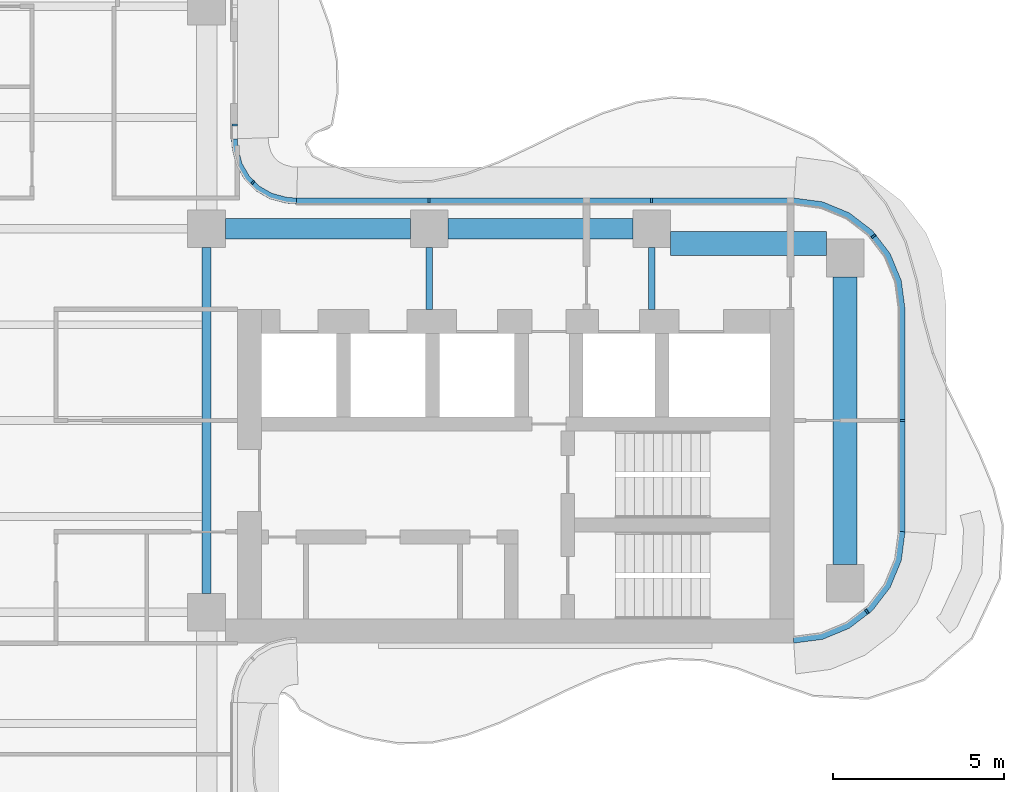
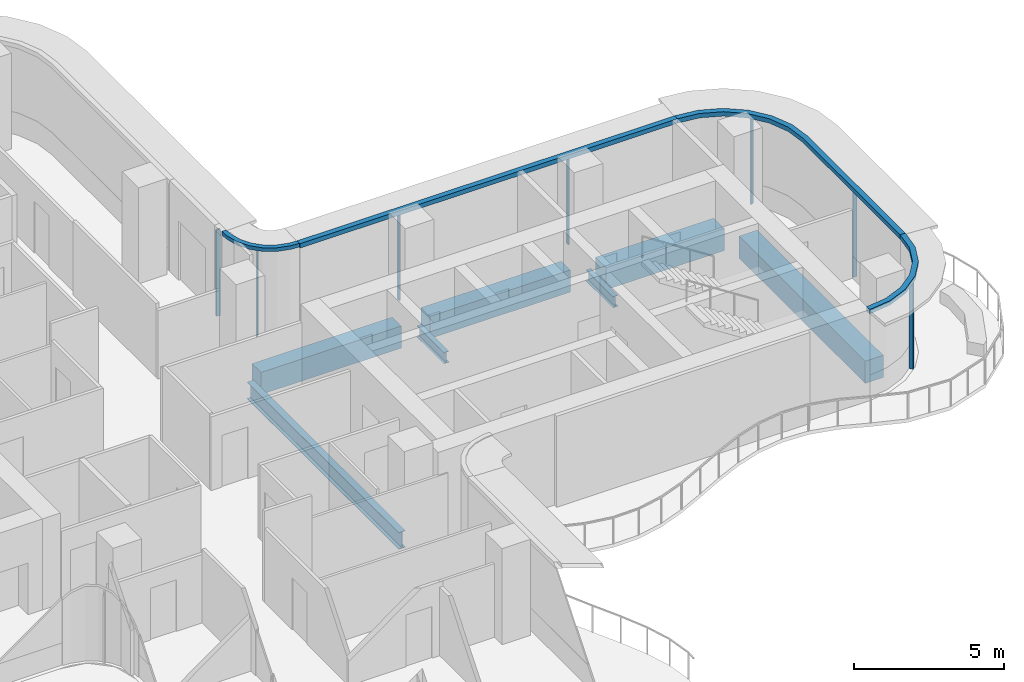
# One storey, part 6 of 17: 11 members, 7 beams, 5 elements without a shape of their own.
"""IFC4 building model written with IfcOpenShell, lengths in metres."""

from ifc_helpers import new_model, si_unit, direction, frame, origin, origin_2d, place, context, subcontext, project, spatial, polyline, rectangle, i_section, outline, extrude, source, transform, mapped, material, layer, layer_set, material_profile, profile_set, type_object, element, aggregate, save


model = new_model("IFC4")

# Units and contexts
model_context = context("Model", 3, precision=1e-05, world=origin(), true_north=direction((0.0, 1.0)))
body_context = subcontext(model_context, "Body", "Model", "MODEL_VIEW")
ifc_project = project(units=[si_unit("LENGTHUNIT", "METRE"), si_unit("AREAUNIT", "SQUARE_METRE"), si_unit("VOLUMEUNIT", "CUBIC_METRE"), si_unit("PLANEANGLEUNIT", "RADIAN"), si_unit("MASSUNIT", "GRAM", prefix="KILO")], contexts=[model_context])

# Site, building, storey
site_placement = place(None, origin())
site = spatial("IfcSite", under=ifc_project, at=site_placement, CompositionType="ELEMENT")
building_placement = place(site_placement, origin())
building = spatial("IfcBuilding", under=site, at=building_placement, Name="Trellis Farm Tower", CompositionType="ELEMENT")
storey_placement = place(building_placement, frame((0.0, 0.0, 259.699951171875)))
storey = spatial("IfcBuildingStorey", under=building, at=storey_placement, Name="L58", CompositionType="ELEMENT", Elevation=259.699951171875)

# Beams
ifc_material_1 = material(Name="Steel S355", Category="steel")
ifc_material_profile_1 = material_profile(ifc_material_1, i_section(OverallWidth=0.253662109375, OverallDepth=0.68359375, WebThickness=0.012451171875, FlangeThickness=0.021728515625, FilletRadius=0.01513671875, at=origin_2d()), Name="UB 686x254x140")
ifc_profile_set_1 = profile_set([ifc_material_profile_1], Name="Steel S355")
beam_type_1 = type_object("IfcBeamType", Name="UB 686x254x140", PredefinedType="BEAM", material=ifc_profile_set_1)
shared_shape_1 = source(origin(), body_context, "Body", "SweptSolid", [
    extrude(i_section(OverallWidth=0.253662109375, OverallDepth=0.68359375, WebThickness=0.012451171875, FlangeThickness=0.021728515625, FilletRadius=0.01513671875, at=origin_2d()), origin(), (0.0, 0.0, 1.0), 10.10009765625),
])
beam_1_placement = place(storey_placement, frame((5.60009765625, -5.050048828125, -0.541748046875), z_axis=(0.0, 1.0, 0.0), x_axis=(-1.0, 0.0, 0.0)))
element("IfcBeam", 1, at=beam_1_placement, inside=storey, type_object=beam_type_1, Name="Girder", PredefinedType="BEAM", context=body_context, shape_type="MappedRepresentation", body=[
    mapped(shared_shape_1, transform((0.0, 0.0, 0.0))),
])
ifc_material_profile_2 = material_profile(ifc_material_1, i_section(OverallWidth=0.1904296875, OverallDepth=0.45703125, WebThickness=0.009033203125, FlangeThickness=0.014404296875, FilletRadius=0.01025390625, at=origin_2d()), Name="UB 457x191x74")
ifc_profile_set_2 = profile_set([ifc_material_profile_2], Name="Steel S355")
beam_type_2 = type_object("IfcBeamType", Name="UB 457x191x74", PredefinedType="BEAM", material=ifc_profile_set_2)
shared_shape_2 = source(origin(), body_context, "Body", "SweptSolid", [
    extrude(i_section(OverallWidth=0.1904296875, OverallDepth=0.45703125, WebThickness=0.009033203125, FlangeThickness=0.014404296875, FilletRadius=0.01025390625, at=origin_2d()), origin(), (0.0, 0.0, 1.0), 1.800048828125),
])
for number, where, z_axis, x_axis, name in (
    (2, (12.10009765625, 3.25, -0.428466796875), (0.0, 1.0, 0.0), (-1.0, 0.0, 0.0), "Girder"),
    (3, (18.60009765625, 3.25, -0.428466796875), (0.0, 1.0, 0.0), (-1.0, 0.0, 0.0), "Girder"),
):
    element("IfcBeam", number, at=place(storey_placement, frame(where, z_axis=z_axis, x_axis=x_axis)), inside=storey, type_object=beam_type_2, Name=name, PredefinedType="BEAM", context=body_context, shape_type="MappedRepresentation", body=[
        mapped(shared_shape_2, transform((0.0, 0.0, 0.0))),
    ])
ifc_material_2 = material(Name="Concrete C60/75", Category="concrete")
ifc_material_profile_3 = material_profile(ifc_material_2, rectangle(XDim=0.60009765625, YDim=0.89990234375, at=origin_2d()), Name="RC spandrel beam 600x900 C60/75")
ifc_profile_set_3 = profile_set([ifc_material_profile_3], Name="Concrete C60/75")
beam_type_3 = type_object("IfcBeamType", Name="RC spandrel beam 600x900 C60/75", PredefinedType="SPANDREL", material=ifc_profile_set_3)
shared_shape_3 = source(origin(), body_context, "Body", "SweptSolid", [
    extrude(rectangle(XDim=0.60009765625, YDim=0.89990234375, at=origin_2d()), origin(), (0.0, 0.0, 1.0), 5.400146484375),
])
for number, where, z_axis, x_axis, name in (
    (4, (6.14990234375, 5.60009765625, -0.64990234375), (1.0, 0.0, 0.0), (0.0, 1.0, 0.0), "Girder"),
    (5, (12.64990234375, 5.60009765625, -0.64990234375), (1.0, 0.0, 0.0), (0.0, 1.0, 0.0), "Girder"),
):
    element("IfcBeam", number, at=place(storey_placement, frame(where, z_axis=z_axis, x_axis=x_axis)), inside=storey, type_object=beam_type_3, Name=name, PredefinedType="SPANDREL", context=body_context, shape_type="MappedRepresentation", body=[
        mapped(shared_shape_3, transform((0.0, 0.0, 0.0))),
    ])
ifc_material_profile_4 = material_profile(ifc_material_2, rectangle(XDim=0.699951171875, YDim=0.89990234375, at=origin_2d()), Name="RC spandrel beam 700x900 C60/75")
ifc_profile_set_4 = profile_set([ifc_material_profile_4], Name="Concrete C60/75")
beam_type_4 = type_object("IfcBeamType", Name="RC spandrel beam 700x900 C60/75", PredefinedType="SPANDREL", material=ifc_profile_set_4)
shared_shape_4 = source(origin(), body_context, "Body", "SweptSolid", [
    extrude(rectangle(XDim=0.699951171875, YDim=0.89990234375, at=origin_2d()), origin(), (0.0, 0.0, 1.0), 8.39990234375),
])
beam_2_placement = place(storey_placement, frame((24.25, -4.199951171875, -0.64990234375), z_axis=(0.0, 1.0, 0.0), x_axis=(-1.0, 0.0, 0.0)))
element("IfcBeam", 6, at=beam_2_placement, inside=storey, type_object=beam_type_4, Name="Girder", PredefinedType="SPANDREL", context=body_context, shape_type="MappedRepresentation", body=[
    mapped(shared_shape_4, transform((0.0, 0.0, 0.0))),
])
shared_shape_5 = source(origin(), body_context, "Body", "SweptSolid", [
    extrude(rectangle(XDim=0.699951171875, YDim=0.89990234375, at=origin_2d()), origin(), (0.0, 0.0, 1.0), 4.550048828125),
])
beam_3_placement = place(storey_placement, frame((19.14990234375, 5.175048828125, -0.64990234375), z_axis=(1.0, 0.0, 0.0), x_axis=(0.0, 1.0, 0.0)))
element("IfcBeam", 7, at=beam_3_placement, inside=storey, type_object=beam_type_4, Name="Girder", PredefinedType="SPANDREL", context=body_context, shape_type="MappedRepresentation", body=[
    mapped(shared_shape_5, transform((0.0, 0.0, 0.0))),
])

# Curtain wall, member
ifc_material_3 = material(Name="Aluminium and glass curtain wall", Category="aluminium")
ifc_layer_1 = layer(ifc_material_3, 0.166015625)
ifc_layer_set_1 = layer_set([ifc_layer_1], Name="WINTER GARDEN CURTAIN WALL CW3")
curtain_wall_type_1 = type_object("IfcCurtainWallType", Name="WINTER GARDEN CURTAIN WALL CW3", PredefinedType="NOTDEFINED", material=ifc_layer_set_1)
placement_1 = place(storey_placement, origin())
curtain_wall_1 = element("IfcCurtainWall", 8, at=placement_1, inside=storey, type_object=curtain_wall_type_1, Name="CW3 003", PredefinedType="NOTDEFINED")
ifc_material_4 = material(Name="Aluminium extrusion 6063-T6", Category="aluminium")
ifc_layer_2 = layer(ifc_material_4, 0.169921875)
ifc_layer_set_2 = layer_set([ifc_layer_2], Name="Aluminium extrusion 6063-T6")
member_type_1 = type_object("IfcMemberType", Name="CW3 TRANSOM 170x150", PredefinedType="USERDEFINED", material=ifc_layer_set_2)
shared_shape_6 = source(origin(), body_context, "Body", "SweptSolid", [
    extrude(outline(polyline([(8.2314453125, 6.5), (8.01953125, 6.513916015625), (7.91552734375, 6.527587890625), (7.508544921875, 6.63671875), (7.144287109375, 6.846923828125), (6.846923828125, 7.144287109375), (6.63671875, 7.508544921875), (6.527587890625, 7.91552734375), (6.513916015625, 8.01953125), (6.5, 8.2314453125), (6.330078125, 8.225830078125), (6.3447265625, 8.0029296875), (6.360595703125, 7.88232421875), (6.478271484375, 7.44287109375), (6.7109375, 7.0400390625), (7.0400390625, 6.7109375), (7.44287109375, 6.478271484375), (7.88232421875, 6.360595703125), (8.0029296875, 6.3447265625), (8.225830078125, 6.330078125), (8.2314453125, 6.5)])), origin(), (0.0, 0.0, 1.0), 0.14990234375),
])
member_1_placement = place(storey_placement, frame((0.0, 0.0, 3.550048828125)))
member_1 = element("IfcMember", 9, at=member_1_placement, type_object=member_type_1, Name="TR3 003", ObjectType="TRANSOM", PredefinedType="USERDEFINED", context=body_context, shape_type="MappedRepresentation", body=[
    mapped(shared_shape_6, transform((0.0, 0.0, 0.0))),
])

ifc_layer_3 = layer(ifc_material_3, 0.18994140625)
ifc_layer_set_3 = layer_set([ifc_layer_3], Name="RIBBON CURTAIN WALL CW1")
curtain_wall_type_2 = type_object("IfcCurtainWallType", Name="RIBBON CURTAIN WALL CW1", PredefinedType="NOTDEFINED", material=ifc_layer_set_3)
curtain_wall_2 = element("IfcCurtainWall", 10, at=placement_1, inside=storey, type_object=curtain_wall_type_2, Name="CW1 005", PredefinedType="NOTDEFINED")
ifc_material_profile_5 = material_profile(ifc_material_4, rectangle(XDim=0.06005859375, YDim=0.14990234375, at=origin_2d()), Name="MULLION 60x150")
ifc_profile_set_5 = profile_set([ifc_material_profile_5], Name="Aluminium extrusion 6063-T6")
member_type_2 = type_object("IfcMemberType", Name="CW1 MULLION 60x150", PredefinedType="MULLION", material=ifc_profile_set_5)
shared_shape_7 = source(origin(), body_context, "Body", "SweptSolid", [
    extrude(rectangle(XDim=0.06005859375, YDim=0.14990234375, at=origin_2d()), origin(), (0.0, 0.0, 1.0), 3.52001953125),
])
member_2_placement = place(storey_placement, frame((24.885498046875, -5.578369140625, 0.0), z_axis=(0.0, 0.0, 1.0), x_axis=(0.793353340291, 0.608761429009, 0.0)))
member_2 = element("IfcMember", 11, at=member_2_placement, type_object=member_type_2, Name="MU1 005-01", PredefinedType="MULLION", context=body_context, shape_type="MappedRepresentation", body=[
    mapped(shared_shape_7, transform((0.0, 0.0, 0.0))),
])

# Curtain wall, members
curtain_wall_3 = element("IfcCurtainWall", 12, at=placement_1, inside=storey, type_object=curtain_wall_type_2, Name="CW1 006", PredefinedType="NOTDEFINED")
member_3_placement = place(storey_placement, frame((25.925048828125, 0.0, 0.0), z_axis=(0.0, 0.0, 1.0), x_axis=(0.0, 1.0, 0.0)))
member_3 = element("IfcMember", 13, at=member_3_placement, type_object=member_type_2, Name="MU1 006-01", PredefinedType="MULLION", context=body_context, shape_type="MappedRepresentation", body=[
    mapped(shared_shape_7, transform((0.0, 0.0, 0.0))),
])
member_4_placement = place(storey_placement, frame((25.078369140625, 5.385498046875, 0.0), z_axis=(0.0, 0.0, 1.0), x_axis=(-0.608761429009, 0.793353340291, 0.0)))
member_4 = element("IfcMember", 14, at=member_4_placement, type_object=member_type_2, Name="MU1 006-02", PredefinedType="MULLION", context=body_context, shape_type="MappedRepresentation", body=[
    mapped(shared_shape_7, transform((0.0, 0.0, 0.0))),
])

curtain_wall_4 = element("IfcCurtainWall", 15, at=placement_1, inside=storey, type_object=curtain_wall_type_2, Name="CW1 007", PredefinedType="NOTDEFINED")
member_5_placement = place(storey_placement, frame((18.60009765625, 6.425048828125, 0.0), z_axis=(0.0, 0.0, 1.0), x_axis=(-1.0, 0.0, 0.0)))
member_5 = element("IfcMember", 16, at=member_5_placement, type_object=member_type_2, Name="MU1 007-01", PredefinedType="MULLION", context=body_context, shape_type="MappedRepresentation", body=[
    mapped(shared_shape_7, transform((0.0, 0.0, 0.0))),
])
member_6_placement = place(storey_placement, frame((12.10009765625, 6.425048828125, 0.0), z_axis=(0.0, 0.0, 1.0), x_axis=(-1.0, 0.0, 0.0)))
member_6 = element("IfcMember", 17, at=member_6_placement, type_object=member_type_2, Name="MU1 007-02", PredefinedType="MULLION", context=body_context, shape_type="MappedRepresentation", body=[
    mapped(shared_shape_7, transform((0.0, 0.0, 0.0))),
])

# Curtain wall, member
curtain_wall_5 = element("IfcCurtainWall", 18, at=placement_1, inside=storey, type_object=curtain_wall_type_2, Name="CW1 008", PredefinedType="NOTDEFINED")
member_7_placement = place(storey_placement, frame((6.425048828125, 8.6357421875, 0.0), z_axis=(0.0, 0.0, 1.0), x_axis=(0.0, 1.0, 0.0)))
member_7 = element("IfcMember", 19, at=member_7_placement, type_object=member_type_2, Name="MU1 008-01", PredefinedType="MULLION", context=body_context, shape_type="MappedRepresentation", body=[
    mapped(shared_shape_7, transform((0.0, 0.0, 0.0))),
])
aggregate(curtain_wall_5, [member_7])

# Member
ifc_material_profile_6 = material_profile(ifc_material_4, rectangle(XDim=0.050048828125, YDim=0.1201171875, at=origin_2d()), Name="MULLION 50x120")
ifc_profile_set_6 = profile_set([ifc_material_profile_6], Name="Aluminium extrusion 6063-T6")
member_type_3 = type_object("IfcMemberType", Name="CW3 MULLION 50x120", PredefinedType="MULLION", material=ifc_profile_set_6)
shared_shape_8 = source(origin(), body_context, "Body", "SweptSolid", [
    extrude(rectangle(XDim=0.050048828125, YDim=0.1201171875, at=origin_2d()), origin(), (0.0, 0.0, 1.0), 3.550048828125),
])
member_8_placement = place(storey_placement, frame((6.953125, 6.953125, 0.0), z_axis=(0.0, 0.0, 1.0), x_axis=(-0.707106781187, 0.707106781187, 0.0)))
member_8 = element("IfcMember", 20, at=member_8_placement, type_object=member_type_3, Name="MU3 003-01", PredefinedType="MULLION", context=body_context, shape_type="MappedRepresentation", body=[
    mapped(shared_shape_8, transform((0.0, 0.0, 0.0))),
])

aggregate(curtain_wall_1, [member_8, member_1])

ifc_layer_4 = layer(ifc_material_4, 0.199951171875)
ifc_layer_set_4 = layer_set([ifc_layer_4], Name="Aluminium extrusion 6063-T6")
member_type_4 = type_object("IfcMemberType", Name="CW1 TRANSOM 200x180", PredefinedType="USERDEFINED", material=ifc_layer_set_4)
shared_shape_9 = source(origin(), body_context, "Body", "SweptSolid", [
    extrude(outline(polyline([(22.75, -6.5), (23.591064453125, -6.38916015625), (24.375, -6.064697265625), (25.048095703125, -5.548095703125), (25.564697265625, -4.875), (25.88916015625, -4.091064453125), (26.0, -3.25), (25.800048828125, -3.23681640625), (25.6943359375, -4.0390625), (25.389892578125, -4.774169921875), (24.905517578125, -5.405517578125), (24.274169921875, -5.889892578125), (23.5390625, -6.1943359375), (22.73681640625, -6.300048828125), (22.75, -6.5)])), origin(), (0.0, 0.0, 1.0), 0.179931640625),
])
placement_2 = place(storey_placement, frame((0.0, 0.0, 3.52001953125)))
member_9 = element("IfcMember", 21, at=placement_2, type_object=member_type_4, Name="TR1 005", ObjectType="TRANSOM", PredefinedType="USERDEFINED", context=body_context, shape_type="MappedRepresentation", body=[
    mapped(shared_shape_9, transform((0.0, 0.0, 0.0))),
])

aggregate(curtain_wall_2, [member_2, member_9])

shared_shape_10 = source(origin(), body_context, "Body", "SweptSolid", [
    extrude(outline(polyline([(22.75, 6.5), (8.2314453125, 6.5), (8.224853515625, 6.300048828125), (22.73681640625, 6.300048828125), (22.75, 6.5)])), origin(), (0.0, 0.0, 1.0), 0.179931640625),
])
member_10 = element("IfcMember", 22, at=placement_2, type_object=member_type_4, Name="TR1 007", ObjectType="TRANSOM", PredefinedType="USERDEFINED", context=body_context, shape_type="MappedRepresentation", body=[
    mapped(shared_shape_10, transform((0.0, 0.0, 0.0))),
])

aggregate(curtain_wall_4, [member_5, member_6, member_10])

shared_shape_11 = source(origin(), body_context, "Body", "SweptSolid", [
    extrude(outline(polyline([(26.0, -3.25), (26.0, 3.25), (25.88916015625, 4.091064453125), (25.564697265625, 4.875), (25.048095703125, 5.548095703125), (24.375, 6.064697265625), (23.591064453125, 6.38916015625), (22.75, 6.5), (22.73681640625, 6.300048828125), (23.5390625, 6.1943359375), (24.274169921875, 5.889892578125), (24.905517578125, 5.405517578125), (25.389892578125, 4.774169921875), (25.6943359375, 4.0390625), (25.800048828125, 3.23681640625), (25.800048828125, -3.23681640625), (26.0, -3.25)])), origin(), (0.0, 0.0, 1.0), 0.179931640625),
])
member_11 = element("IfcMember", 23, at=placement_2, type_object=member_type_4, Name="TR1 006", ObjectType="TRANSOM", PredefinedType="USERDEFINED", context=body_context, shape_type="MappedRepresentation", body=[
    mapped(shared_shape_11, transform((0.0, 0.0, 0.0))),
])

aggregate(curtain_wall_3, [member_3, member_4, member_11])

save(model, "model.ifc")
